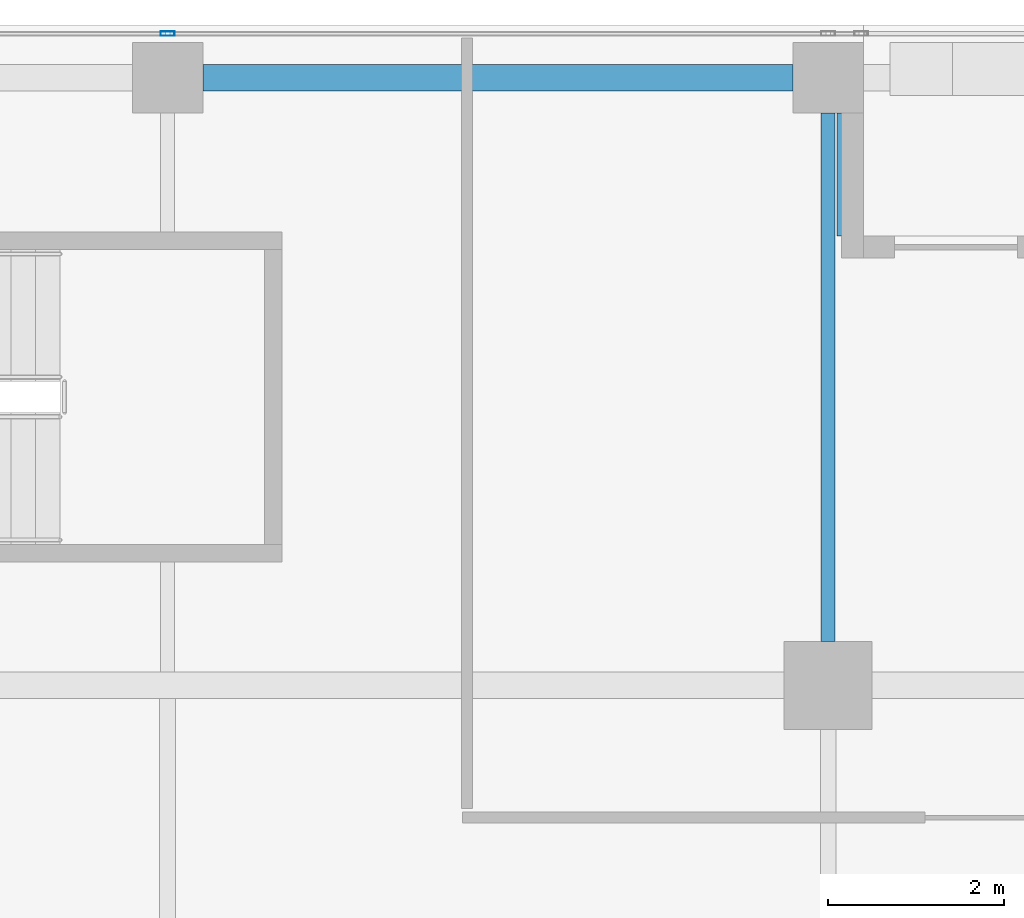
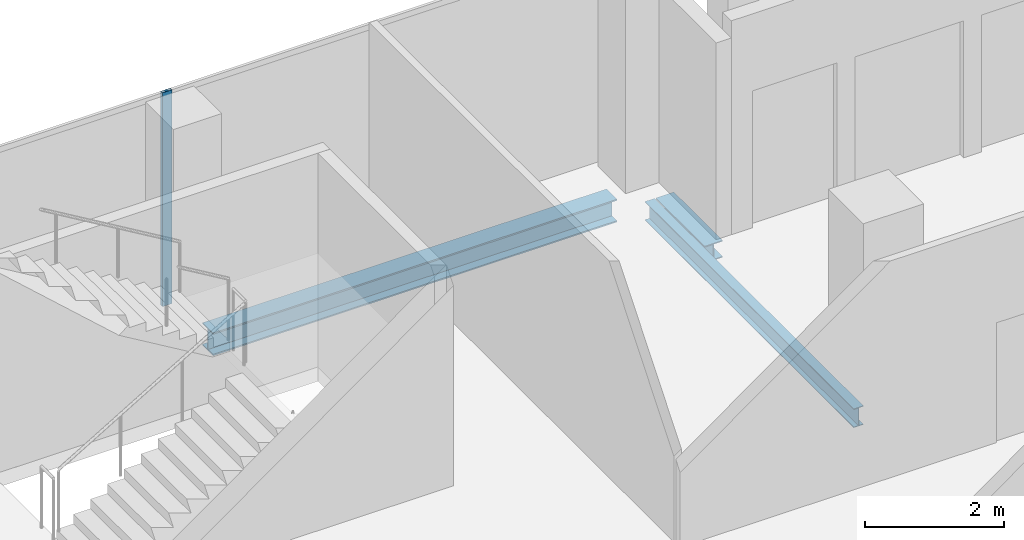
# One storey, part 14 of 28: 3 beams, 1 member, 1 element without a shape of its own.
"""IFC4 building model written with IfcOpenShell, lengths in metres."""

from ifc_helpers import new_model, si_unit, direction, frame, origin, origin_2d, place, context, subcontext, project, spatial, hollow_rectangle, i_section, extrude, source, transform, mapped, material, material_profile, profile_set, type_object, element, aggregate, save


model = new_model("IFC4")

# Units and contexts
model_context = context("Model", 3, precision=1e-05, world=origin(), true_north=direction((0.0, 1.0)))
body_context = subcontext(model_context, "Body", "Model", "MODEL_VIEW")
ifc_project = project(units=[si_unit("LENGTHUNIT", "METRE"), si_unit("AREAUNIT", "SQUARE_METRE"), si_unit("VOLUMEUNIT", "CUBIC_METRE"), si_unit("PLANEANGLEUNIT", "RADIAN"), si_unit("MASSUNIT", "GRAM", prefix="KILO")], contexts=[model_context])

# Site, building, storey
site_placement = place(None, origin())
site = spatial("IfcSite", under=ifc_project, at=site_placement, CompositionType="ELEMENT")
building_placement = place(site_placement, origin())
building = spatial("IfcBuilding", under=site, at=building_placement, Name="Khomas Fold Tower", CompositionType="ELEMENT")
storey_placement = place(building_placement, frame((0.0, 0.0, 298.199951171875)))
storey = spatial("IfcBuildingStorey", under=building, at=storey_placement, Name="L67", CompositionType="ELEMENT", Elevation=298.199951171875)

# Beams
ifc_material_1 = material(Name="Steel S355", Category="steel")
ifc_material_profile_1 = material_profile(ifc_material_1, i_section(OverallWidth=0.300048828125, OverallDepth=0.39990234375, WebThickness=0.013427734375, FlangeThickness=0.02392578125, at=origin_2d()), Name="HE 400 B")
ifc_profile_set_1 = profile_set([ifc_material_profile_1], Name="Steel S355")
beam_type_1 = type_object("IfcBeamType", Name="HE 400 B spandrel SB5", PredefinedType="SPANDREL", material=ifc_profile_set_1)
shared_shape_1 = source(origin(), body_context, "Body", "SweptSolid", [
    extrude(i_section(OverallWidth=0.300048828125, OverallDepth=0.39990234375, WebThickness=0.013427734375, FlangeThickness=0.02392578125, at=origin_2d()), origin(), (0.0, 0.0, 1.0), 6.7001953125),
])
beam_1_placement = place(storey_placement, frame((27.39990234375, 47.39990234375, -0.449951171875), z_axis=(1.0, 0.0, 0.0), x_axis=(0.0, 1.0, 0.0)))
element("IfcBeam", 1, at=beam_1_placement, inside=storey, type_object=beam_type_1, Name="SB5", PredefinedType="SPANDREL", context=body_context, shape_type="MappedRepresentation", body=[
    mapped(shared_shape_1, transform((0.0, 0.0, 0.0))),
])
ifc_material_2 = material(Name="Steel S355", Category="steel")
ifc_material_profile_2 = material_profile(ifc_material_2, i_section(OverallWidth=0.159912109375, OverallDepth=0.330078125, WebThickness=0.007568359375, FlangeThickness=0.011474609375, at=origin_2d()), Name="IPE 330")
ifc_profile_set_2 = profile_set([ifc_material_profile_2], Name="Steel S355")
beam_type_2 = type_object("IfcBeamType", Name="IPE 330 beam JB1", PredefinedType="BEAM", material=ifc_profile_set_2)
shared_shape_2 = source(origin(), body_context, "Body", "SweptSolid", [
    extrude(i_section(OverallWidth=0.159912109375, OverallDepth=0.330078125, WebThickness=0.007568359375, FlangeThickness=0.011474609375, at=origin_2d()), origin(), (0.0, 0.0, 1.0), 6.0),
])
beam_2_placement = place(storey_placement, frame((34.5, 41.0, -0.4150390625), z_axis=(0.0, 1.0, 0.0), x_axis=(-1.0, 0.0, 0.0)))
element("IfcBeam", 2, at=beam_2_placement, inside=storey, type_object=beam_type_2, Name="JB1", PredefinedType="BEAM", context=body_context, shape_type="MappedRepresentation", body=[
    mapped(shared_shape_2, transform((0.0, 0.0, 0.0))),
])
ifc_material_3 = material(Name="Steel S355", Category="steel")
ifc_material_profile_3 = material_profile(ifc_material_3, i_section(OverallWidth=0.300048828125, OverallDepth=0.300048828125, WebThickness=0.010986328125, FlangeThickness=0.01904296875, at=origin_2d()), Name="HE 300 B")
ifc_profile_set_3 = profile_set([ifc_material_profile_3], Name="Steel S355")
beam_type_3 = type_object("IfcBeamType", Name="HE 300 B beam BB1", PredefinedType="BEAM", material=ifc_profile_set_3)
shared_shape_3 = source(origin(), body_context, "Body", "SweptSolid", [
    extrude(i_section(OverallWidth=0.300048828125, OverallDepth=0.300048828125, WebThickness=0.010986328125, FlangeThickness=0.01904296875, at=origin_2d()), origin(), (0.0, 0.0, 1.0), 1.39990234375),
])
beam_3_placement = place(storey_placement, frame((34.75, 45.60009765625, -0.39990234375), z_axis=(0.0, 1.0, 0.0), x_axis=(-1.0, 0.0, 0.0)))
element("IfcBeam", 3, at=beam_3_placement, inside=storey, type_object=beam_type_3, Name="BB1", PredefinedType="BEAM", context=body_context, shape_type="MappedRepresentation", body=[
    mapped(shared_shape_3, transform((0.0, 0.0, 0.0))),
])

# Curtain wall, member
ifc_material_4 = material(Name="Aluminium framed double glazing", Category="aluminium")
curtain_wall_type = type_object("IfcCurtainWallType", Name="SK-Unitised clear-glass wall, upper floors CW3", PredefinedType="NOTDEFINED", material=ifc_material_4)
curtain_wall_placement = place(storey_placement, origin())
curtain_wall = element("IfcCurtainWall", 4, at=curtain_wall_placement, inside=storey, type_object=curtain_wall_type, Name="CW3 run L67 06-1", PredefinedType="NOTDEFINED")
ifc_material_5 = material(Name="Aluminium", Category="aluminium")
ifc_material_profile_4 = material_profile(ifc_material_5, hollow_rectangle(XDim=0.050048828125, YDim=0.159912109375, WallThickness=0.00390625, at=origin_2d()), Name="SK-Unitised clear-glass wall, upper floors mullion CW3-M")
ifc_profile_set_4 = profile_set([ifc_material_profile_4], Name="Aluminium")
member_type = type_object("IfcMemberType", Name="SK-Unitised clear-glass wall, upper floors mullion CW3-M", PredefinedType="MULLION", material=ifc_profile_set_4)
shared_shape_4 = source(origin(), body_context, "Body", "SweptSolid", [
    extrude(hollow_rectangle(XDim=0.050048828125, YDim=0.159912109375, WallThickness=0.00390625, at=origin_2d()), origin(), (0.0, 0.0, 1.0), 3.75),
])
member_placement = place(storey_placement, frame((27.0, 47.89990234375, 0.0), z_axis=(0.0, 0.0, 1.0), x_axis=(0.0, -1.0, 0.0)))
member = element("IfcMember", 5, at=member_placement, type_object=member_type, Name="CW3 mullion 3", PredefinedType="MULLION", context=body_context, shape_type="MappedRepresentation", body=[
    mapped(shared_shape_4, transform((0.0, 0.0, 0.0))),
])
aggregate(curtain_wall, [member])

save(model, "model.ifc")
